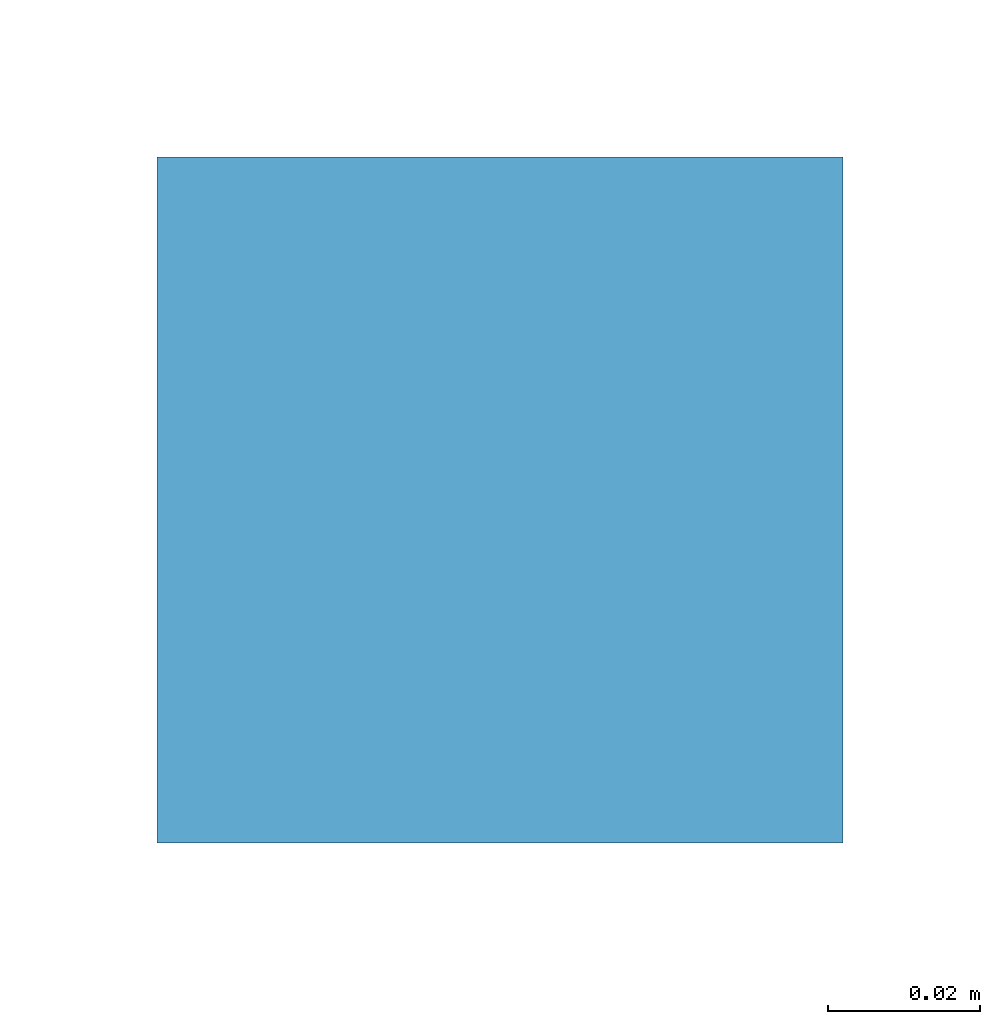
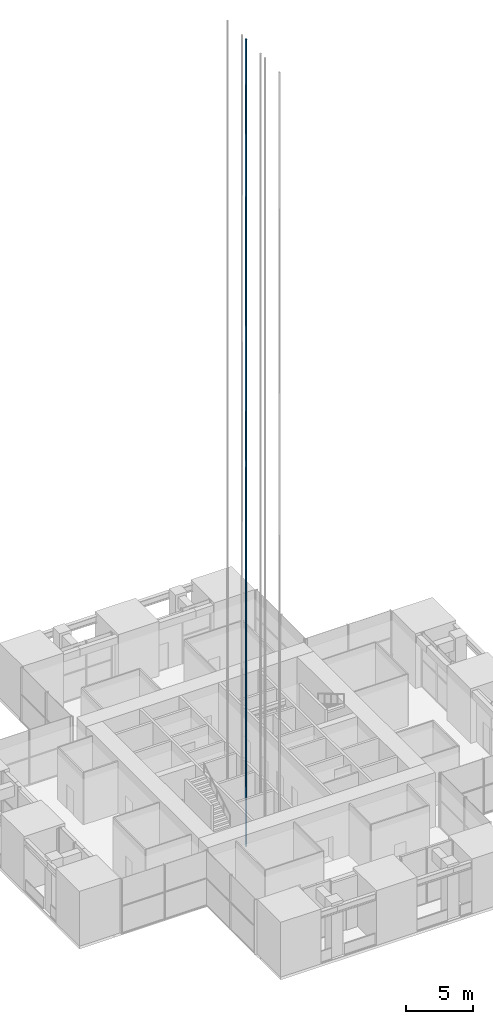
# One storey, part 11 of 17: 1 discrete accessory.
"""IFC4 building model written with IfcOpenShell, lengths in metres."""

from ifc_helpers import new_model, si_unit, direction, frame, origin, origin_2d, place, context, subcontext, project, spatial, rectangle, extrude, element, save


model = new_model("IFC4")

# Units and contexts
model_context = context("Model", 3, precision=1e-05, world=origin(), true_north=direction((0.0, 1.0)))
body_context = subcontext(model_context, "Body", "Model", "MODEL_VIEW")
ifc_project = project(units=[si_unit("LENGTHUNIT", "METRE"), si_unit("AREAUNIT", "SQUARE_METRE"), si_unit("VOLUMEUNIT", "CUBIC_METRE"), si_unit("PLANEANGLEUNIT", "RADIAN"), si_unit("MASSUNIT", "GRAM", prefix="KILO")], contexts=[model_context])

# Site, building, storey
site_placement = place(None, origin())
site = spatial("IfcSite", under=ifc_project, at=site_placement, CompositionType="ELEMENT")
building_placement = place(site_placement, origin())
building = spatial("IfcBuilding", under=site, at=building_placement, Name="Svetlomir Tower", CompositionType="ELEMENT")
storey_placement = place(building_placement, frame((0.0, 0.0, 165.5)))
storey = spatial("IfcBuildingStorey", under=building, at=storey_placement, Name="L39", CompositionType="ELEMENT", Elevation=165.5)

# Discrete accessory
discrete_accessory_placement = place(storey_placement, frame((18.300048828125, 17.77490234375, -1.400146484375), z_axis=(0.0, 0.0, 1.0), x_axis=(1.0, 0.0, 0.0)))
element("IfcDiscreteAccessory", 1, at=discrete_accessory_placement, inside=storey, Name="Lift LC2 guide rail 2", ObjectType="LIFT GUIDE RAIL", PredefinedType="USERDEFINED", context=body_context, shape_type="SweptSolid", body=[
    extrude(rectangle(XDim=0.090087890625, YDim=0.090087890625, at=origin_2d()), origin(), (0.0, 0.0, 1.0), 73.60009765625),
])

save(model, "model.ifc")
